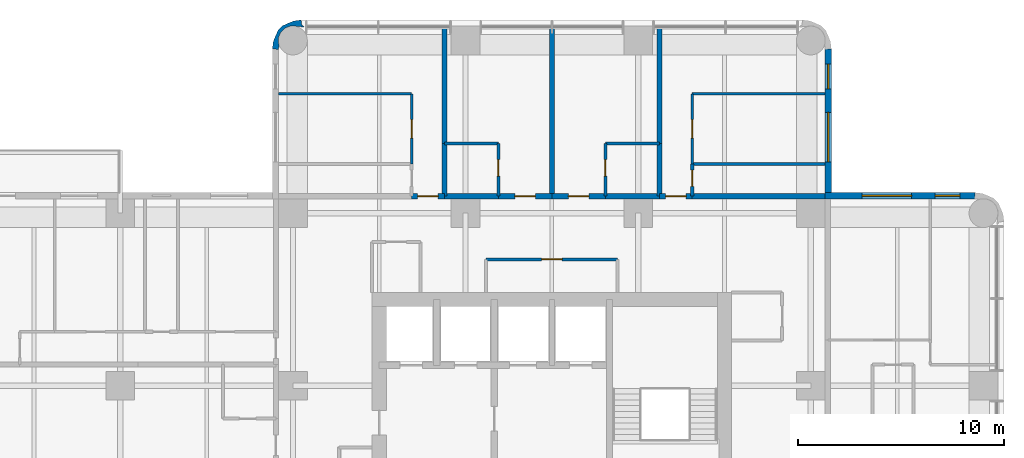
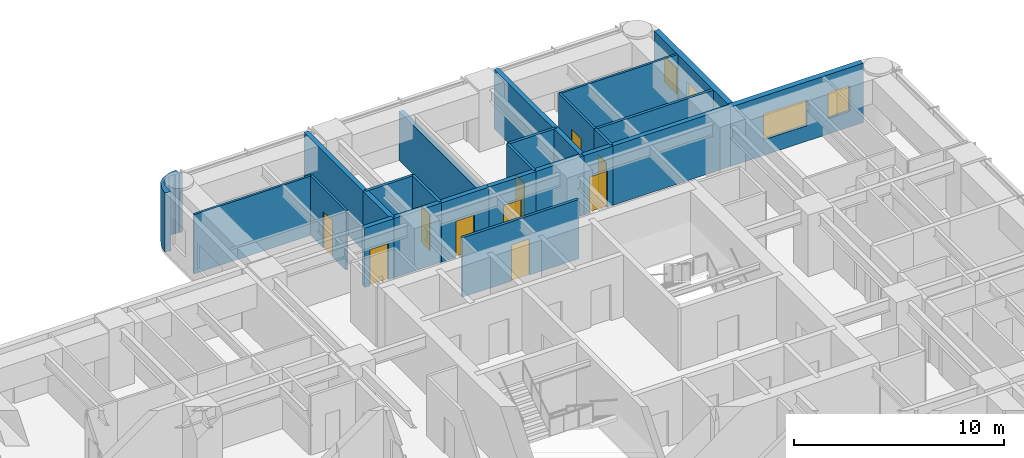
# One storey, part 9 of 11: 26 walls, 10 doors, 4 windows, 14 openings.
"""IFC4 building model written with IfcOpenShell, lengths in metres."""

from ifc_helpers import new_model, si_unit, direction, frame, frame_2d, origin, place, context, subcontext, project, spatial, polyline, rectangle, outline, extrude, material, layer, layer_set, type_object, element, fill, save


model = new_model("IFC4")

# Units and contexts
model_context = context("Model", 3, precision=1e-05, world=origin(), true_north=direction((0.0, 1.0)))
body_context = subcontext(model_context, "Body", "Model", "MODEL_VIEW")
ifc_project = project(units=[si_unit("LENGTHUNIT", "METRE"), si_unit("AREAUNIT", "SQUARE_METRE"), si_unit("VOLUMEUNIT", "CUBIC_METRE"), si_unit("PLANEANGLEUNIT", "RADIAN"), si_unit("MASSUNIT", "GRAM", prefix="KILO")], contexts=[model_context])

# Site, building, storey
site_placement = place(None, origin())
site = spatial("IfcSite", under=ifc_project, at=site_placement, CompositionType="ELEMENT")
building_placement = place(site_placement, origin())
building = spatial("IfcBuilding", under=site, at=building_placement, Name="Torre Alcanfor", CompositionType="ELEMENT")
storey_placement = place(building_placement, frame((0.0, 0.0, 219.300048828125)))
storey = spatial("IfcBuildingStorey", under=building, at=storey_placement, Name="L57", CompositionType="ELEMENT", Elevation=219.300048828125)

# Wall, opening, door
ifc_material_1 = material(Name="Concrete block masonry, hollow blocks NMX-C-404 9 MPa", Category="masonry")
ifc_layer_1 = layer(ifc_material_1, 0.25)
ifc_layer_set_1 = layer_set([ifc_layer_1], Name="Apartment entrance wall 250 EI 60")
wall_type_1 = type_object("IfcWallType", Name="Apartment entrance wall 250 EI 60", PredefinedType="PARTITIONING", material=ifc_layer_set_1)
wall_1_placement = place(storey_placement, frame((26.800048828125, 42.824951171875, 0.0), z_axis=(0.0, 0.0, 1.0), x_axis=(1.0, 0.0, 0.0)))
wall_1 = element("IfcWall", 1, at=wall_1_placement, inside=storey, type_object=wall_type_1, Name="Partition L57-CORR / L57-N1A-STUDIO", PredefinedType="PARTITIONING", context=body_context, shape_type="SweptSolid", body=[
    extrude(rectangle(XDim=2.599853515625, YDim=0.25, at=frame_2d((1.2998046875, 0.0))), origin(), (0.0, 0.0, 1.0), 3.449951171875),
])
opening_1_placement = place(wall_1_placement, frame((0.800048828125, 0.0, 0.0)))
opening_1 = element("IfcOpeningElement", 2, at=opening_1_placement, cuts=wall_1, Name="Opening D-A1", PredefinedType="OPENING", context=body_context, shape_type="SweptSolid", body=[
    extrude(rectangle(XDim=1.0, YDim=2.10009765625, at=frame_2d((0.5, 1.050048828125))), frame((0.0, 0.135009765625, 0.0), z_axis=(0.0, -1.0, 0.0), x_axis=(1.0, 0.0, 0.0)), (0.0, 0.0, 1.0), 0.27001953125),
])
ifc_material_2 = material(Name="Galvanised steel sheet ASTM A653", Category="steel")
door_type_1 = type_object("IfcDoorType", Name="Apartment entrance door FD60 1000x2100", OperationType="SINGLE_SWING_LEFT", PredefinedType="DOOR", material=ifc_material_2)
door_1_placement = place(opening_1_placement, origin())
door_1 = element("IfcDoor", 3, at=door_1_placement, inside=storey, type_object=door_type_1, Name="Apartment entrance L57-N1A", OperationType="SINGLE_SWING_LEFT", OverallHeight=2.10009765625, OverallWidth=1.0, PredefinedType="DOOR", context=body_context, shape_type="SweptSolid", body=[
    extrude(rectangle(XDim=1.0, YDim=2.10009765625, at=frame_2d((0.5, 1.050048828125))), frame((0.0, 0.02490234375, 0.0), z_axis=(0.0, -1.0, 0.0), x_axis=(1.0, 0.0, 0.0)), (0.0, 0.0, 1.0), 0.050048828125),
])
fill(opening_1, door_1)

# Wall
wall_2_placement = place(storey_placement, frame((24.1708984375, 42.824951171875, 0.0), z_axis=(0.0, 0.0, 1.0), x_axis=(1.0, 0.0, 0.0)))
element("IfcWall", 4, at=wall_2_placement, inside=storey, type_object=wall_type_1, Name="Partition L57-CORR / L57-N1A-BATH", PredefinedType="PARTITIONING", context=body_context, shape_type="SweptSolid", body=[
    extrude(rectangle(XDim=2.629150390625, YDim=0.25, at=frame_2d((1.314453125, 0.0))), origin(), (0.0, 0.0, 1.0), 3.449951171875),
])

# Wall, opening, door
wall_3_placement = place(storey_placement, frame((22.571044921875, 42.824951171875, 0.0), z_axis=(0.0, 0.0, 1.0), x_axis=(1.0, 0.0, 0.0)))
wall_3 = element("IfcWall", 5, at=wall_3_placement, inside=storey, type_object=wall_type_1, Name="Partition L57-CORR / L57-N1B-LIVING", PredefinedType="PARTITIONING", context=body_context, shape_type="SweptSolid", body=[
    extrude(rectangle(XDim=1.599853515625, YDim=0.25, at=frame_2d((0.7998046875, 0.0))), origin(), (0.0, 0.0, 1.0), 3.449951171875),
])
opening_2_placement = place(wall_3_placement, frame((0.300048828125, 0.0, 0.0)))
opening_2 = element("IfcOpeningElement", 6, at=opening_2_placement, cuts=wall_3, Name="Opening D-A1", PredefinedType="OPENING", context=body_context, shape_type="SweptSolid", body=[
    extrude(rectangle(XDim=1.0, YDim=2.10009765625, at=frame_2d((0.5, 1.050048828125))), frame((0.0, 0.135009765625, 0.0), z_axis=(0.0, -1.0, 0.0), x_axis=(1.0, 0.0, 0.0)), (0.0, 0.0, 1.0), 0.27001953125),
])
door_2_placement = place(opening_2_placement, origin())
door_2 = element("IfcDoor", 7, at=door_2_placement, inside=storey, type_object=door_type_1, Name="Apartment entrance L57-N1B", OperationType="SINGLE_SWING_LEFT", OverallHeight=2.10009765625, OverallWidth=1.0, PredefinedType="DOOR", context=body_context, shape_type="SweptSolid", body=[
    extrude(rectangle(XDim=1.0, YDim=2.10009765625, at=frame_2d((0.5, 1.050048828125))), frame((0.0, 0.02490234375, 0.0), z_axis=(0.0, -1.0, 0.0), x_axis=(1.0, 0.0, 0.0)), (0.0, 0.0, 1.0), 0.050048828125),
])
fill(opening_2, door_2)

wall_4_placement = place(storey_placement, frame((29.39990234375, 42.824951171875, 0.0), z_axis=(0.0, 0.0, 1.0), x_axis=(1.0, 0.0, 0.0)))
wall_4 = element("IfcWall", 8, at=wall_4_placement, inside=storey, type_object=wall_type_1, Name="Partition L57-CORR / L57-N2A-STUDIO", PredefinedType="PARTITIONING", context=body_context, shape_type="SweptSolid", body=[
    extrude(rectangle(XDim=2.60009765625, YDim=0.25, at=frame_2d((1.300048828125, 0.0))), origin(), (0.0, 0.0, 1.0), 3.449951171875),
])
opening_3_placement = place(wall_4_placement, frame((0.800048828125, 0.0, 0.0)))
opening_3 = element("IfcOpeningElement", 9, at=opening_3_placement, cuts=wall_4, Name="Opening D-A1", PredefinedType="OPENING", context=body_context, shape_type="SweptSolid", body=[
    extrude(rectangle(XDim=1.0, YDim=2.10009765625, at=frame_2d((0.5, 1.050048828125))), frame((0.0, 0.135009765625, 0.0), z_axis=(0.0, -1.0, 0.0), x_axis=(1.0, 0.0, 0.0)), (0.0, 0.0, 1.0), 0.27001953125),
])
door_3_placement = place(opening_3_placement, origin())
door_3 = element("IfcDoor", 10, at=door_3_placement, inside=storey, type_object=door_type_1, Name="Apartment entrance L57-N2A", OperationType="SINGLE_SWING_LEFT", OverallHeight=2.10009765625, OverallWidth=1.0, PredefinedType="DOOR", context=body_context, shape_type="SweptSolid", body=[
    extrude(rectangle(XDim=1.0, YDim=2.10009765625, at=frame_2d((0.5, 1.050048828125))), frame((0.0, 0.02490234375, 0.0), z_axis=(0.0, -1.0, 0.0), x_axis=(1.0, 0.0, 0.0)), (0.0, 0.0, 1.0), 0.050048828125),
])
fill(opening_3, door_3)

# Wall
wall_5_placement = place(storey_placement, frame((32.0, 42.824951171875, 0.0), z_axis=(0.0, 0.0, 1.0), x_axis=(1.0, 0.0, 0.0)))
element("IfcWall", 11, at=wall_5_placement, inside=storey, type_object=wall_type_1, Name="Partition L57-CORR / L57-N2A-BATH", PredefinedType="PARTITIONING", context=body_context, shape_type="SweptSolid", body=[
    extrude(rectangle(XDim=2.62890625, YDim=0.25, at=frame_2d((1.314453125, 0.0))), origin(), (0.0, 0.0, 1.0), 3.449951171875),
])

# Wall, opening, door
wall_6_placement = place(storey_placement, frame((34.62890625, 42.824951171875, 0.0), z_axis=(0.0, 0.0, 1.0), x_axis=(1.0, 0.0, 0.0)))
wall_6 = element("IfcWall", 12, at=wall_6_placement, inside=storey, type_object=wall_type_1, Name="Partition L57-CORR / L57-N2B-LIVING", PredefinedType="PARTITIONING", context=body_context, shape_type="SweptSolid", body=[
    extrude(rectangle(XDim=1.60009765625, YDim=0.25, at=frame_2d((0.800048828125, 0.0))), origin(), (0.0, 0.0, 1.0), 3.449951171875),
])
opening_4_placement = place(wall_6_placement, frame((0.300048828125, 0.0, 0.0)))
opening_4 = element("IfcOpeningElement", 13, at=opening_4_placement, cuts=wall_6, Name="Opening D-A1", PredefinedType="OPENING", context=body_context, shape_type="SweptSolid", body=[
    extrude(rectangle(XDim=1.0, YDim=2.10009765625, at=frame_2d((0.5, 1.050048828125))), frame((0.0, 0.135009765625, 0.0), z_axis=(0.0, -1.0, 0.0), x_axis=(1.0, 0.0, 0.0)), (0.0, 0.0, 1.0), 0.27001953125),
])
door_4_placement = place(opening_4_placement, origin())
door_4 = element("IfcDoor", 14, at=door_4_placement, inside=storey, type_object=door_type_1, Name="Apartment entrance L57-N2B", OperationType="SINGLE_SWING_LEFT", OverallHeight=2.10009765625, OverallWidth=1.0, PredefinedType="DOOR", context=body_context, shape_type="SweptSolid", body=[
    extrude(rectangle(XDim=1.0, YDim=2.10009765625, at=frame_2d((0.5, 1.050048828125))), frame((0.0, 0.02490234375, 0.0), z_axis=(0.0, -1.0, 0.0), x_axis=(1.0, 0.0, 0.0)), (0.0, 0.0, 1.0), 0.050048828125),
])
fill(opening_4, door_4)

# Wall
wall_7_placement = place(storey_placement, frame((36.22900390625, 42.824951171875, 0.0), z_axis=(0.0, 0.0, 1.0), x_axis=(1.0, 0.0, 0.0)))
element("IfcWall", 15, at=wall_7_placement, inside=storey, type_object=wall_type_1, Name="Partition L57-CORR / L57-N2B-BATH", PredefinedType="PARTITIONING", context=body_context, shape_type="SweptSolid", body=[
    extrude(rectangle(XDim=6.470947265625, YDim=0.25, at=frame_2d((3.2353515625, 0.0))), origin(), (0.0, 0.0, 1.0), 3.449951171875),
])

# Wall, opening, door
ifc_material_3 = material(Name="Gypsum board on steel studs", Category="steel")
ifc_layer_2 = layer(ifc_material_3, 0.1201171875)
ifc_layer_set_2 = layer_set([ifc_layer_2], Name="Apartment partition 120")
wall_type_2 = type_object("IfcWallType", Name="Apartment partition 120", PredefinedType="PARTITIONING", material=ifc_layer_set_2)
wall_8_placement = place(storey_placement, frame((22.571044921875, 44.39990234375, 0.0), z_axis=(0.0, 0.0, 1.0), x_axis=(0.0, 1.0, 0.0)))
wall_8 = element("IfcWall", 16, at=wall_8_placement, inside=storey, type_object=wall_type_2, Name="Partition L57-N1B-LIVING / L57-N1B-MASTER", PredefinedType="PARTITIONING", context=body_context, shape_type="SweptSolid", body=[
    extrude(rectangle(XDim=3.400146484375, YDim=0.1201171875, at=frame_2d((1.7001953125, 0.0))), origin(), (0.0, 0.0, 1.0), 3.449951171875),
])
opening_5_placement = place(wall_8_placement, frame((1.25, 0.0, 0.0)))
opening_5 = element("IfcOpeningElement", 17, at=opening_5_placement, cuts=wall_8, Name="Opening D-R1", PredefinedType="OPENING", context=body_context, shape_type="SweptSolid", body=[
    extrude(rectangle(XDim=0.89990234375, YDim=2.10009765625, at=frame_2d((0.449951171875, 1.050048828125))), frame((0.0, 0.070068359375, 0.0), z_axis=(0.0, -1.0, 0.0), x_axis=(1.0, 0.0, 0.0)), (0.0, 0.0, 1.0), 0.14013671875),
])
ifc_material_4 = material(Name="Timber", Category="wood")
door_type_2 = type_object("IfcDoorType", Name="Internal door 900x2100", OperationType="SINGLE_SWING_LEFT", PredefinedType="DOOR", material=ifc_material_4)
door_5_placement = place(opening_5_placement, origin())
door_5 = element("IfcDoor", 18, at=door_5_placement, inside=storey, type_object=door_type_2, Name="Door L57-N1B master", OperationType="SINGLE_SWING_LEFT", OverallHeight=2.10009765625, OverallWidth=0.89990234375, PredefinedType="DOOR", context=body_context, shape_type="SweptSolid", body=[
    extrude(rectangle(XDim=0.89990234375, YDim=2.10009765625, at=frame_2d((0.449951171875, 1.050048828125))), frame((0.0, 0.02490234375, 0.0), z_axis=(0.0, -1.0, 0.0), x_axis=(1.0, 0.0, 0.0)), (0.0, 0.0, 1.0), 0.050048828125),
])
fill(opening_5, door_5)

# Walls
for number, where, z_axis, x_axis, name in (
    (19, (22.571044921875, 47.800048828125, 0.0), (0.0, 0.0, 1.0), (-1.0, 0.0, 0.0), "Partition L57-N1B-LIVING / L57-N1B-MASTER"),
    (20, (42.699951171875, 47.800048828125, 0.0), (0.0, 0.0, 1.0), (-1.0, 0.0, 0.0), "Partition L57-N2B-LIVING / L57-N2B-MASTER"),
):
    element("IfcWall", number, at=place(storey_placement, frame(where, z_axis=z_axis, x_axis=x_axis)), inside=storey, type_object=wall_type_2, Name=name, PredefinedType="PARTITIONING", context=body_context, shape_type="SweptSolid", body=[
        extrude(rectangle(XDim=6.470947265625, YDim=0.1201171875, at=frame_2d((3.2353515625, 0.0))), origin(), (0.0, 0.0, 1.0), 3.449951171875),
    ])

# Wall, opening, door
wall_9_placement = place(storey_placement, frame((36.22900390625, 47.800048828125, 0.0), z_axis=(0.0, 0.0, 1.0), x_axis=(0.0, -1.0, 0.0)))
wall_9 = element("IfcWall", 21, at=wall_9_placement, inside=storey, type_object=wall_type_2, Name="Partition L57-N2B-LIVING / L57-N2B-MASTER", PredefinedType="PARTITIONING", context=body_context, shape_type="SweptSolid", body=[
    extrude(rectangle(XDim=3.400146484375, YDim=0.1201171875, at=frame_2d((1.7001953125, 0.0))), origin(), (0.0, 0.0, 1.0), 3.449951171875),
])
opening_6_placement = place(wall_9_placement, frame((1.25, 0.0, 0.0)))
opening_6 = element("IfcOpeningElement", 22, at=opening_6_placement, cuts=wall_9, Name="Opening D-R1", PredefinedType="OPENING", context=body_context, shape_type="SweptSolid", body=[
    extrude(rectangle(XDim=0.89990234375, YDim=2.10009765625, at=frame_2d((0.449951171875, 1.050048828125))), frame((0.0, 0.070068359375, 0.0), z_axis=(0.0, -1.0, 0.0), x_axis=(1.0, 0.0, 0.0)), (0.0, 0.0, 1.0), 0.14013671875),
])
door_6_placement = place(opening_6_placement, origin())
door_6 = element("IfcDoor", 23, at=door_6_placement, inside=storey, type_object=door_type_2, Name="Door L57-N2B master", OperationType="SINGLE_SWING_LEFT", OverallHeight=2.10009765625, OverallWidth=0.89990234375, PredefinedType="DOOR", context=body_context, shape_type="SweptSolid", body=[
    extrude(rectangle(XDim=0.89990234375, YDim=2.10009765625, at=frame_2d((0.449951171875, 1.050048828125))), frame((0.0, 0.02490234375, 0.0), z_axis=(0.0, -1.0, 0.0), x_axis=(1.0, 0.0, 0.0)), (0.0, 0.0, 1.0), 0.050048828125),
])
fill(opening_6, door_6)

# Wall, openings, windows
ifc_material_5 = material(Name="Limestone cladding", Category="masonry")
ifc_layer_3 = layer(ifc_material_5, 0.0400390625, Name="Facing")
ifc_material_6 = material(Name="Ventilated air cavity")
ifc_layer_4 = layer(ifc_material_6, 0.02001953125, ventilated=True, Name="Ventilated joint")
ifc_material_7 = material(Name="Mineral wool insulation", Category="insulation")
ifc_layer_5 = layer(ifc_material_7, 0.10009765625, Name="Insulation")
ifc_material_8 = material(Name="Concrete f'c 35 MPa", Category="concrete")
ifc_layer_6 = layer(ifc_material_8, 0.139892578125, Name="Backing")
ifc_layer_set_3 = layer_set([ifc_layer_3, ifc_layer_4, ifc_layer_5, ifc_layer_6], Name="External wall stone-clad 300")
wall_type_3 = type_object("IfcWallType", Name="External wall stone-clad 300", PredefinedType="SOLIDWALL", material=ifc_layer_set_3)
wall_10_placement = place(storey_placement, frame((50.0, 42.85009765625, 0.0), z_axis=(0.0, 0.0, 1.0), x_axis=(-1.0, 0.0, 0.0)))
wall_10 = element("IfcWall", 24, at=wall_10_placement, inside=storey, type_object=wall_type_3, Name="External wall L57 9", PredefinedType="SOLIDWALL", context=body_context, shape_type="SweptSolid", body=[
    extrude(rectangle(XDim=7.300048828125, YDim=0.300048828125, at=frame_2d((3.64990234375, 0.0))), origin(), (0.0, 0.0, 1.0), 3.449951171875),
])
opening_7_placement = place(wall_10_placement, frame((3.10009765625, 0.0, 0.89990234375)))
opening_7 = element("IfcOpeningElement", 25, at=opening_7_placement, cuts=wall_10, Name="Opening W1", PredefinedType="OPENING", context=body_context, shape_type="SweptSolid", body=[
    extrude(rectangle(XDim=2.39990234375, YDim=1.5, at=frame_2d((1.199951171875, 0.75))), frame((0.0, 0.159912109375, 0.0), z_axis=(0.0, -1.0, 0.0), x_axis=(1.0, 0.0, 0.0)), (0.0, 0.0, 1.0), 0.320068359375),
])
opening_8_placement = place(wall_10_placement, frame((0.75, 0.0, 0.89990234375)))
opening_8 = element("IfcOpeningElement", 26, at=opening_8_placement, cuts=wall_10, Name="Opening W4", PredefinedType="OPENING", context=body_context, shape_type="SweptSolid", body=[
    extrude(rectangle(XDim=1.199951171875, YDim=1.5, at=frame_2d((0.60009765625, 0.75))), frame((0.0, 0.159912109375, 0.0), z_axis=(0.0, -1.0, 0.0), x_axis=(1.0, 0.0, 0.0)), (0.0, 0.0, 1.0), 0.320068359375),
])
ifc_material_9 = material(Name="Aluminium frame with clear double glazing", Category="aluminium")
window_type_1 = type_object("IfcWindowType", Name="Window bedroom 1200x1500", PartitioningType="SINGLE_PANEL", PredefinedType="WINDOW", material=ifc_material_9)
window_1_placement = place(opening_8_placement, origin())
window_1 = element("IfcWindow", 27, at=window_1_placement, inside=storey, type_object=window_type_1, Name="Window W4 L57-E1", OverallHeight=1.5, OverallWidth=1.199951171875, PartitioningType="SINGLE_PANEL", PredefinedType="WINDOW", context=body_context, shape_type="SweptSolid", body=[
    extrude(rectangle(XDim=1.199951171875, YDim=1.5, at=frame_2d((0.60009765625, 0.75))), frame((0.0, 0.030029296875, 0.0), z_axis=(0.0, -1.0, 0.0), x_axis=(1.0, 0.0, 0.0)), (0.0, 0.0, 1.0), 0.06005859375),
])
fill(opening_8, window_1)
ifc_material_10 = material(Name="Aluminium frame with clear double glazing", Category="aluminium")
window_type_2 = type_object("IfcWindowType", Name="Window bedroom 2400x1500", PartitioningType="SINGLE_PANEL", PredefinedType="WINDOW", material=ifc_material_10)
window_2_placement = place(opening_7_placement, origin())
window_2 = element("IfcWindow", 28, at=window_2_placement, inside=storey, type_object=window_type_2, Name="Window W1 L57-E1", OverallHeight=1.5, OverallWidth=2.39990234375, PartitioningType="SINGLE_PANEL", PredefinedType="WINDOW", context=body_context, shape_type="SweptSolid", body=[
    extrude(rectangle(XDim=2.39990234375, YDim=1.5, at=frame_2d((1.199951171875, 0.75))), frame((0.0, 0.030029296875, 0.0), z_axis=(0.0, -1.0, 0.0), x_axis=(1.0, 0.0, 0.0)), (0.0, 0.0, 1.0), 0.06005859375),
])
fill(opening_7, window_2)

wall_11_placement = place(storey_placement, frame((42.85009765625, 43.0, 0.0), z_axis=(0.0, 0.0, 1.0), x_axis=(0.0, 1.0, 0.0)))
wall_11 = element("IfcWall", 29, at=wall_11_placement, inside=storey, type_object=wall_type_3, Name="External wall L57 10", PredefinedType="SOLIDWALL", context=body_context, shape_type="SweptSolid", body=[
    extrude(rectangle(XDim=7.0, YDim=0.300048828125, at=frame_2d((3.5, 0.0))), origin(), (0.0, 0.0, 1.0), 3.449951171875),
])
opening_9_placement = place(wall_11_placement, frame((1.5, 0.0, 0.89990234375)))
opening_9 = element("IfcOpeningElement", 30, at=opening_9_placement, cuts=wall_11, Name="Opening W1", PredefinedType="OPENING", context=body_context, shape_type="SweptSolid", body=[
    extrude(rectangle(XDim=2.39990234375, YDim=1.5, at=frame_2d((1.199951171875, 0.75))), frame((0.0, 0.159912109375, 0.0), z_axis=(0.0, -1.0, 0.0), x_axis=(1.0, 0.0, 0.0)), (0.0, 0.0, 1.0), 0.320068359375),
])
opening_10_placement = place(wall_11_placement, frame((5.050048828125, 0.0, 0.89990234375)))
opening_10 = element("IfcOpeningElement", 31, at=opening_10_placement, cuts=wall_11, Name="Opening W4", PredefinedType="OPENING", context=body_context, shape_type="SweptSolid", body=[
    extrude(rectangle(XDim=1.199951171875, YDim=1.5, at=frame_2d((0.60009765625, 0.75))), frame((0.0, 0.159912109375, 0.0), z_axis=(0.0, -1.0, 0.0), x_axis=(1.0, 0.0, 0.0)), (0.0, 0.0, 1.0), 0.320068359375),
])
window_3_placement = place(opening_10_placement, origin())
window_3 = element("IfcWindow", 32, at=window_3_placement, inside=storey, type_object=window_type_1, Name="Window W4 L57-N2", OverallHeight=1.5, OverallWidth=1.199951171875, PartitioningType="SINGLE_PANEL", PredefinedType="WINDOW", context=body_context, shape_type="SweptSolid", body=[
    extrude(rectangle(XDim=1.199951171875, YDim=1.5, at=frame_2d((0.60009765625, 0.75))), frame((0.0, 0.030029296875, 0.0), z_axis=(0.0, -1.0, 0.0), x_axis=(1.0, 0.0, 0.0)), (0.0, 0.0, 1.0), 0.06005859375),
])
fill(opening_10, window_3)
window_4_placement = place(opening_9_placement, origin())
window_4 = element("IfcWindow", 33, at=window_4_placement, inside=storey, type_object=window_type_2, Name="Window W1 L57-N2", OverallHeight=1.5, OverallWidth=2.39990234375, PartitioningType="SINGLE_PANEL", PredefinedType="WINDOW", context=body_context, shape_type="SweptSolid", body=[
    extrude(rectangle(XDim=2.39990234375, YDim=1.5, at=frame_2d((1.199951171875, 0.75))), frame((0.0, 0.030029296875, 0.0), z_axis=(0.0, -1.0, 0.0), x_axis=(1.0, 0.0, 0.0)), (0.0, 0.0, 1.0), 0.06005859375),
])
fill(opening_9, window_4)

# Walls
ifc_material_11 = material(Name="Concrete block masonry, hollow blocks NMX-C-404 9 MPa", Category="masonry")
ifc_layer_7 = layer(ifc_material_11, 0.25)
ifc_layer_set_4 = layer_set([ifc_layer_7], Name="Party wall 250 EI 60")
wall_type_4 = type_object("IfcWallType", Name="Party wall 250 EI 60", PredefinedType="PARTITIONING", material=ifc_layer_set_4)
wall_12_placement = place(storey_placement, frame((24.1708984375, 45.39990234375, 0.0), z_axis=(0.0, 0.0, 1.0), x_axis=(0.0, 1.0, 0.0)))
element("IfcWall", 34, at=wall_12_placement, inside=storey, type_object=wall_type_4, Name="Partition L57-N1A-STUDIO / L57-N1B-LIVING", PredefinedType="PARTITIONING", context=body_context, shape_type="SweptSolid", body=[
    extrude(rectangle(XDim=5.650146484375, YDim=0.25, at=frame_2d((2.8251953125, 0.0))), origin(), (0.0, 0.0, 1.0), 3.449951171875),
])
wall_13_placement = place(storey_placement, frame((29.39990234375, 51.050048828125, 0.0), z_axis=(0.0, 0.0, 1.0), x_axis=(0.0, -1.0, 0.0)))
element("IfcWall", 35, at=wall_13_placement, inside=storey, type_object=wall_type_4, Name="Partition L57-N1A-STUDIO / L57-N2A-STUDIO", PredefinedType="PARTITIONING", context=body_context, shape_type="SweptSolid", body=[
    extrude(rectangle(XDim=8.22509765625, YDim=0.25, at=frame_2d((4.112548828125, 0.0))), origin(), (0.0, 0.0, 1.0), 2.847900390625),
])
wall_14_placement = place(storey_placement, frame((24.1708984375, 45.39990234375, 0.0), z_axis=(0.0, 0.0, 1.0), x_axis=(0.0, -1.0, 0.0)))
element("IfcWall", 36, at=wall_14_placement, inside=storey, type_object=wall_type_4, Name="Partition L57-N1A-BATH / L57-N1B-LIVING", PredefinedType="PARTITIONING", context=body_context, shape_type="SweptSolid", body=[
    extrude(rectangle(XDim=2.574951171875, YDim=0.25, at=frame_2d((1.28759765625, 0.0))), origin(), (0.0, 0.0, 1.0), 3.449951171875),
])
wall_15_placement = place(storey_placement, frame((34.62890625, 51.050048828125, 0.0), z_axis=(0.0, 0.0, 1.0), x_axis=(0.0, -1.0, 0.0)))
element("IfcWall", 37, at=wall_15_placement, inside=storey, type_object=wall_type_4, Name="Partition L57-N2A-STUDIO / L57-N2B-LIVING", PredefinedType="PARTITIONING", context=body_context, shape_type="SweptSolid", body=[
    extrude(rectangle(XDim=5.650146484375, YDim=0.25, at=frame_2d((2.8251953125, 0.0))), origin(), (0.0, 0.0, 1.0), 3.449951171875),
])
wall_16_placement = place(storey_placement, frame((34.62890625, 45.39990234375, 0.0), z_axis=(0.0, 0.0, 1.0), x_axis=(0.0, -1.0, 0.0)))
element("IfcWall", 38, at=wall_16_placement, inside=storey, type_object=wall_type_4, Name="Partition L57-N2A-BATH / L57-N2B-LIVING", PredefinedType="PARTITIONING", context=body_context, shape_type="SweptSolid", body=[
    extrude(rectangle(XDim=2.574951171875, YDim=0.25, at=frame_2d((1.28759765625, 0.0))), origin(), (0.0, 0.0, 1.0), 3.449951171875),
])

# Wall, opening, door
ifc_material_12 = material(Name="Concrete block masonry, hollow blocks NMX-C-404 9 MPa", Category="masonry")
ifc_layer_8 = layer(ifc_material_12, 0.14990234375)
ifc_layer_set_5 = layer_set([ifc_layer_8], Name="Residents' room partition 150")
wall_type_5 = type_object("IfcWallType", Name="Residents' room partition 150", PredefinedType="PARTITIONING", material=ifc_layer_set_5)
wall_17_placement = place(storey_placement, frame((32.60009765625, 39.75, 0.0), z_axis=(0.0, 0.0, 1.0), x_axis=(-1.0, 0.0, 0.0)))
wall_17 = element("IfcWall", 39, at=wall_17_placement, inside=storey, type_object=wall_type_5, Name="Partition L57-CORR / L57-G02", PredefinedType="PARTITIONING", context=body_context, shape_type="SweptSolid", body=[
    extrude(rectangle(XDim=6.400146484375, YDim=0.14990234375, at=frame_2d((3.2001953125, 0.0))), origin(), (0.0, 0.0, 1.0), 3.449951171875),
])
opening_11_placement = place(wall_17_placement, frame((2.699951171875, 0.0, 0.0)))
opening_11 = element("IfcOpeningElement", 40, at=opening_11_placement, cuts=wall_17, Name="Opening D-M1", PredefinedType="OPENING", context=body_context, shape_type="SweptSolid", body=[
    extrude(rectangle(XDim=1.0, YDim=2.10009765625, at=frame_2d((0.5, 1.050048828125))), frame((0.0, 0.0849609375, 0.0), z_axis=(0.0, -1.0, 0.0), x_axis=(1.0, 0.0, 0.0)), (0.0, 0.0, 1.0), 0.169921875),
])
ifc_material_13 = material(Name="Timber", Category="wood")
door_type_3 = type_object("IfcDoorType", Name="Residents' room door 1000x2100", OperationType="SINGLE_SWING_LEFT", PredefinedType="DOOR", material=ifc_material_13)
door_7_placement = place(opening_11_placement, origin())
door_7 = element("IfcDoor", 41, at=door_7_placement, inside=storey, type_object=door_type_3, Name="Door L57-G02 quiet room", OperationType="SINGLE_SWING_LEFT", OverallHeight=2.10009765625, OverallWidth=1.0, PredefinedType="DOOR", context=body_context, shape_type="SweptSolid", body=[
    extrude(rectangle(XDim=1.0, YDim=2.10009765625, at=frame_2d((0.5, 1.050048828125))), frame((0.0, 0.02490234375, 0.0), z_axis=(0.0, -1.0, 0.0), x_axis=(1.0, 0.0, 0.0)), (0.0, 0.0, 1.0), 0.050048828125),
])
fill(opening_11, door_7)

# Wall
ifc_layer_9 = layer(ifc_material_5, 0.0400390625, Name="Facing")
ifc_layer_10 = layer(ifc_material_6, 0.02001953125, ventilated=True, Name="Ventilated joint")
ifc_layer_11 = layer(ifc_material_7, 0.10009765625, Name="Insulation")
ifc_layer_12 = layer(ifc_material_8, 0.139892578125, Name="Backing")
ifc_layer_set_6 = layer_set([ifc_layer_9, ifc_layer_10, ifc_layer_11, ifc_layer_12], Name="Rounded corner pier stone-clad 300")
wall_type_6 = type_object("IfcWallType", Name="Rounded corner pier stone-clad 300", PredefinedType="SOLIDWALL", material=ifc_layer_set_6)
wall_18_placement = place(storey_placement, frame((17.312325495, 50.98815184, 0.0), z_axis=(0.0, 0.0, 1.0), x_axis=(-0.439933741929, 0.898030234854, 0.0)))
element("IfcWall", 42, at=wall_18_placement, inside=storey, type_object=wall_type_6, Name="Corner pier L57 20", PredefinedType="SOLIDWALL", context=body_context, shape_type="SweptSolid", body=[
    extrude(outline(polyline([(0.1377143835604198, -0.039385181817258766), (0.1818364553516057, -0.0003747232930663008), (0.4192016580531099, -0.08022740006820503), (0.5358388106960636, 0.26607727478531357), (0.5587531272282371, 0.6308374918089354), (0.5545485345760868, 0.6511120475500328), (0.5663705271242188, 0.8356242584424797), (0.45553712270786306, 1.1593357577081085), (0.33310540567156155, 1.2978817433582523), (0.3240010425966217, 1.316478699637952), (0.08232775629815992, 1.5906485457460864), (-0.22208869605726766, 1.7927915068834772), (-0.3896080971502234, 1.5407383104861123), (-0.3718491984629172, 1.532038448890355), (-0.1945577897528935, 1.41446516530517), (-0.1197255547664915, 1.4096136894189937), (0.13065299215824444, 1.286956381488686), (0.3152401217440383, 1.07772560900137), (0.4057142184300525, 0.8140105545565798), (0.3881041552353981, 0.5355508442955765), (0.26544684730509027, 0.28517229737084054), (0.20907264065944553, 0.23558040158200633), (0.14755628183616776, 0.052848260637269044), (0.10502262325175554, 0.07368496618760154), (0.031879342428165675, -0.0756213301834538), (0.1377143835604198, -0.039385181817258766)])), origin(), (0.0, 0.0, 1.0), 3.449951171875),
])

# Wall, opening, door
ifc_material_14 = material(Name="Cement board on steel studs", Category="steel")
ifc_layer_13 = layer(ifc_material_14, 0.14990234375)
ifc_layer_set_7 = layer_set([ifc_layer_13], Name="Wet area partition 150")
wall_type_7 = type_object("IfcWallType", Name="Wet area partition 150", PredefinedType="PARTITIONING", material=ifc_layer_set_7)
wall_19_placement = place(storey_placement, frame((26.800048828125, 42.824951171875, 0.0), z_axis=(0.0, 0.0, 1.0), x_axis=(0.0, 1.0, 0.0)))
wall_19 = element("IfcWall", 43, at=wall_19_placement, inside=storey, type_object=wall_type_7, Name="Partition L57-N1A-STUDIO / L57-N1A-BATH", PredefinedType="PARTITIONING", context=body_context, shape_type="SweptSolid", body=[
    extrude(rectangle(XDim=2.574951171875, YDim=0.14990234375, at=frame_2d((1.28759765625, 0.0))), origin(), (0.0, 0.0, 1.0), 3.449951171875),
])
opening_12_placement = place(wall_19_placement, frame((0.97509765625, 0.0, 0.0)))
opening_12 = element("IfcOpeningElement", 44, at=opening_12_placement, cuts=wall_19, Name="Opening D-R2", PredefinedType="OPENING", context=body_context, shape_type="SweptSolid", body=[
    extrude(rectangle(XDim=0.800048828125, YDim=2.10009765625, at=frame_2d((0.39990234375, 1.050048828125))), frame((0.0, 0.0849609375, 0.0), z_axis=(0.0, -1.0, 0.0), x_axis=(1.0, 0.0, 0.0)), (0.0, 0.0, 1.0), 0.169921875),
])
ifc_material_15 = material(Name="Timber", Category="wood")
door_type_4 = type_object("IfcDoorType", Name="Bathroom door 800x2100", OperationType="SINGLE_SWING_LEFT", PredefinedType="DOOR", material=ifc_material_15)
door_8_placement = place(opening_12_placement, origin())
door_8 = element("IfcDoor", 45, at=door_8_placement, inside=storey, type_object=door_type_4, Name="Door L57-N1A bath", OperationType="SINGLE_SWING_RIGHT", OverallHeight=2.10009765625, OverallWidth=0.800048828125, PredefinedType="DOOR", context=body_context, shape_type="SweptSolid", body=[
    extrude(rectangle(XDim=0.800048828125, YDim=2.10009765625, at=frame_2d((0.39990234375, 1.050048828125))), frame((0.0, 0.02490234375, 0.0), z_axis=(0.0, -1.0, 0.0), x_axis=(1.0, 0.0, 0.0)), (0.0, 0.0, 1.0), 0.050048828125),
])
fill(opening_12, door_8)

# Walls
wall_20_placement = place(storey_placement, frame((26.800048828125, 45.39990234375, 0.0), z_axis=(0.0, 0.0, 1.0), x_axis=(-1.0, 0.0, 0.0)))
element("IfcWall", 46, at=wall_20_placement, inside=storey, type_object=wall_type_7, Name="Partition L57-N1A-STUDIO / L57-N1A-BATH", PredefinedType="PARTITIONING", context=body_context, shape_type="SweptSolid", body=[
    extrude(rectangle(XDim=2.629150390625, YDim=0.14990234375, at=frame_2d((1.314453125, 0.0))), origin(), (0.0, 0.0, 1.0), 3.449951171875),
])
wall_21_placement = place(storey_placement, frame((34.62890625, 45.39990234375, 0.0), z_axis=(0.0, 0.0, 1.0), x_axis=(-1.0, 0.0, 0.0)))
element("IfcWall", 47, at=wall_21_placement, inside=storey, type_object=wall_type_7, Name="Partition L57-N2A-STUDIO / L57-N2A-BATH", PredefinedType="PARTITIONING", context=body_context, shape_type="SweptSolid", body=[
    extrude(rectangle(XDim=2.62890625, YDim=0.14990234375, at=frame_2d((1.314453125, 0.0))), origin(), (0.0, 0.0, 1.0), 3.449951171875),
])

# Wall, opening, door
wall_22_placement = place(storey_placement, frame((32.0, 45.39990234375, 0.0), z_axis=(0.0, 0.0, 1.0), x_axis=(0.0, -1.0, 0.0)))
wall_22 = element("IfcWall", 48, at=wall_22_placement, inside=storey, type_object=wall_type_7, Name="Partition L57-N2A-STUDIO / L57-N2A-BATH", PredefinedType="PARTITIONING", context=body_context, shape_type="SweptSolid", body=[
    extrude(rectangle(XDim=2.574951171875, YDim=0.14990234375, at=frame_2d((1.28759765625, 0.0))), origin(), (0.0, 0.0, 1.0), 3.449951171875),
])
opening_13_placement = place(wall_22_placement, frame((0.800048828125, 0.0, 0.0)))
opening_13 = element("IfcOpeningElement", 49, at=opening_13_placement, cuts=wall_22, Name="Opening D-R2", PredefinedType="OPENING", context=body_context, shape_type="SweptSolid", body=[
    extrude(rectangle(XDim=0.800048828125, YDim=2.10009765625, at=frame_2d((0.39990234375, 1.050048828125))), frame((0.0, 0.0849609375, 0.0), z_axis=(0.0, -1.0, 0.0), x_axis=(1.0, 0.0, 0.0)), (0.0, 0.0, 1.0), 0.169921875),
])
door_9_placement = place(opening_13_placement, origin())
door_9 = element("IfcDoor", 50, at=door_9_placement, inside=storey, type_object=door_type_4, Name="Door L57-N2A bath", OperationType="SINGLE_SWING_LEFT", OverallHeight=2.10009765625, OverallWidth=0.800048828125, PredefinedType="DOOR", context=body_context, shape_type="SweptSolid", body=[
    extrude(rectangle(XDim=0.800048828125, YDim=2.10009765625, at=frame_2d((0.39990234375, 1.050048828125))), frame((0.0, 0.02490234375, 0.0), z_axis=(0.0, -1.0, 0.0), x_axis=(1.0, 0.0, 0.0)), (0.0, 0.0, 1.0), 0.050048828125),
])
fill(opening_13, door_9)

wall_23_placement = place(storey_placement, frame((36.22900390625, 44.39990234375, 0.0), z_axis=(0.0, 0.0, 1.0), x_axis=(0.0, -1.0, 0.0)))
wall_23 = element("IfcWall", 51, at=wall_23_placement, inside=storey, type_object=wall_type_7, Name="Partition L57-N2B-LIVING / L57-N2B-BATH", PredefinedType="PARTITIONING", context=body_context, shape_type="SweptSolid", body=[
    extrude(rectangle(XDim=1.574951171875, YDim=0.14990234375, at=frame_2d((0.78759765625, 0.0))), origin(), (0.0, 0.0, 1.0), 3.449951171875),
])
opening_14_placement = place(wall_23_placement, frame((0.300048828125, 0.0, 0.0)))
opening_14 = element("IfcOpeningElement", 52, at=opening_14_placement, cuts=wall_23, Name="Opening D-R2", PredefinedType="OPENING", context=body_context, shape_type="SweptSolid", body=[
    extrude(rectangle(XDim=0.800048828125, YDim=2.10009765625, at=frame_2d((0.39990234375, 1.050048828125))), frame((0.0, 0.0849609375, 0.0), z_axis=(0.0, -1.0, 0.0), x_axis=(1.0, 0.0, 0.0)), (0.0, 0.0, 1.0), 0.169921875),
])
door_10_placement = place(opening_14_placement, origin())
door_10 = element("IfcDoor", 53, at=door_10_placement, inside=storey, type_object=door_type_4, Name="Door L57-N2B bath", OperationType="SINGLE_SWING_LEFT", OverallHeight=2.10009765625, OverallWidth=0.800048828125, PredefinedType="DOOR", context=body_context, shape_type="SweptSolid", body=[
    extrude(rectangle(XDim=0.800048828125, YDim=2.10009765625, at=frame_2d((0.39990234375, 1.050048828125))), frame((0.0, 0.02490234375, 0.0), z_axis=(0.0, -1.0, 0.0), x_axis=(1.0, 0.0, 0.0)), (0.0, 0.0, 1.0), 0.050048828125),
])
fill(opening_14, door_10)

# Wall
wall_24_placement = place(storey_placement, frame((36.22900390625, 44.39990234375, 0.0), z_axis=(0.0, 0.0, 1.0), x_axis=(1.0, 0.0, 0.0)))
element("IfcWall", 54, at=wall_24_placement, inside=storey, type_object=wall_type_7, Name="Partition L57-N2B-BATH / L57-N2B-MASTER", PredefinedType="PARTITIONING", context=body_context, shape_type="SweptSolid", body=[
    extrude(rectangle(XDim=6.470947265625, YDim=0.14990234375, at=frame_2d((3.2353515625, 0.0))), origin(), (0.0, 0.0, 1.0), 3.449951171875),
])

save(model, "model.ifc")
